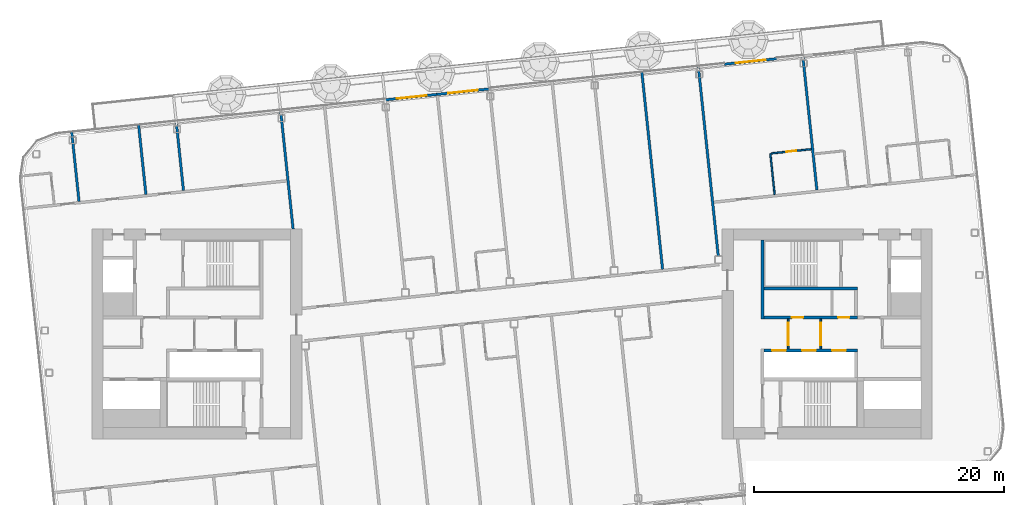
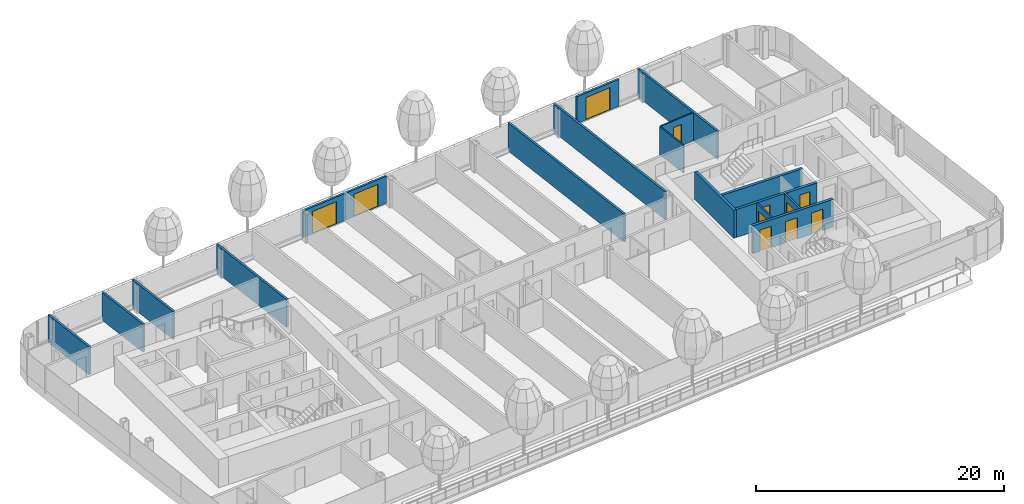
# One storey, part 15 of 29: 18 walls, 11 doors, 11 openings, 1 element without a shape of its own.
"""IFC4 building model written with IfcOpenShell, lengths in metres."""

from ifc_helpers import new_model, si_unit, direction, frame, frame_2d, origin, place, context, subcontext, project, spatial, rectangle, extrude, material, layer, layer_set, type_object, element, fill, aggregate, save


model = new_model("IFC4")

# Units and contexts
model_context = context("Model", 3, precision=1e-05, world=origin(), true_north=direction((0.0, 1.0)))
body_context = subcontext(model_context, "Body", "Model", "MODEL_VIEW")
ifc_project = project(units=[si_unit("LENGTHUNIT", "METRE"), si_unit("AREAUNIT", "SQUARE_METRE"), si_unit("VOLUMEUNIT", "CUBIC_METRE"), si_unit("PLANEANGLEUNIT", "RADIAN"), si_unit("MASSUNIT", "GRAM", prefix="KILO")], contexts=[model_context])

# Site, building, storey
site_placement = place(None, origin())
site = spatial("IfcSite", under=ifc_project, at=site_placement, CompositionType="ELEMENT")
building_placement = place(site_placement, origin())
building = spatial("IfcBuilding", under=site, at=building_placement, Name="Hakoniwa Tower and Hamabe Station Hall", CompositionType="ELEMENT")
storey_placement = place(building_placement, frame((0.0, 0.0, 258.199951171875)))
storey = spatial("IfcBuildingStorey", under=building, at=storey_placement, Name="L73", CompositionType="ELEMENT", Elevation=258.199951171875)

# Wall, opening, door
ifc_material_1 = material(Name="Gypsum board partition", Category="gypsum")
ifc_layer_1 = layer(ifc_material_1, 0.125)
ifc_layer_set_1 = layer_set([ifc_layer_1], Name="Bathroom Partition 125")
wall_type_1 = type_object("IfcWallType", Name="Bathroom Partition 125", PredefinedType="PARTITIONING", material=ifc_layer_set_1)
wall_1_placement = place(storey_placement, frame((20.7275390625, 14.443603515625, 0.0), z_axis=(0.0, 0.0, 1.0), x_axis=(0.994522794159, 0.104519911488, 0.0)))
wall_1 = element("IfcWall", 1, at=wall_1_placement, inside=storey, type_object=wall_type_1, Name="GW-L73-014", PredefinedType="PARTITIONING", context=body_context, shape_type="SweptSolid", body=[
    extrude(rectangle(XDim=3.237548828125, YDim=0.125, at=frame_2d((1.61865234375, 0.0))), origin(), (0.0, 0.0, 1.0), 2.75),
])
opening_1_placement = place(wall_1_placement, frame((1.237548828125, 0.0, 0.0)))
opening_1 = element("IfcOpeningElement", 2, at=opening_1_placement, cuts=wall_1, Name="Opening GD-G5C1-24", PredefinedType="OPENING", context=body_context, shape_type="SweptSolid", body=[
    extrude(rectangle(XDim=0.800048828125, YDim=2.10009765625, at=frame_2d((0.39990234375, 1.050048828125))), frame((0.0, 0.072509765625, 0.0), z_axis=(0.0, -1.0, 0.0), x_axis=(1.0, 0.0, 0.0)), (0.0, 0.0, 1.0), 0.14501953125),
])
ifc_material_2 = material(Name="Timber door leaf", Category="wood")
door_type_1 = type_object("IfcDoorType", Name="Bathroom Door 800", OperationType="SINGLE_SWING_LEFT", PredefinedType="DOOR", material=ifc_material_2)
door_1_placement = place(opening_1_placement, origin())
door_1 = element("IfcDoor", 3, at=door_1_placement, inside=storey, type_object=door_type_1, Name="Door GD-G5C1-24", OperationType="SINGLE_SWING_LEFT", OverallHeight=2.10009765625, OverallWidth=0.800048828125, PredefinedType="DOOR", context=body_context, shape_type="SweptSolid", body=[
    extrude(rectangle(XDim=0.800048828125, YDim=2.10009765625, at=frame_2d((0.39990234375, 1.050048828125))), frame((0.0, 0.02490234375, 0.0), z_axis=(0.0, -1.0, 0.0), x_axis=(1.0, 0.0, 0.0)), (0.0, 0.0, 1.0), 0.050048828125),
])
fill(opening_1, door_1)

# Wall
wall_2_placement = place(storey_placement, frame((21.010498046875, 11.1552734375, 0.0), z_axis=(0.0, 0.0, 1.0), x_axis=(-0.10454228429, 0.994520442623, 0.0)))
element("IfcWall", 4, at=wall_2_placement, inside=storey, type_object=wall_type_1, Name="GW-L73-047", PredefinedType="PARTITIONING", context=body_context, shape_type="SweptSolid", body=[
    extrude(rectangle(XDim=3.2998046875, YDim=0.125, at=frame_2d((1.64990234375, 0.0))), origin(), (0.0, 0.0, 1.0), 2.75),
])

# Wall, opening, door
ifc_material_3 = material(Name="Gypsum board partition")
ifc_layer_2 = layer(ifc_material_3, 0.14990234375)
ifc_layer_set_2 = layer_set([ifc_layer_2], Name="CORE PARTITION 150 EI 60")
wall_type_2 = type_object("IfcWallType", Name="CORE PARTITION 150 EI 60", PredefinedType="PARTITIONING", material=ifc_layer_set_2)
wall_3_placement = place(storey_placement, frame((22.10009765625, -1.199951171875, 0.0), z_axis=(0.0, 0.0, 1.0), x_axis=(0.0, 1.0, 0.0)))
wall_3 = element("IfcWall", 5, at=wall_3_placement, inside=storey, type_object=wall_type_2, Name="Core partition PL0 east", PredefinedType="PARTITIONING", context=body_context, shape_type="SweptSolid", body=[
    extrude(rectangle(XDim=2.39990234375, YDim=0.14990234375, at=frame_2d((1.199951171875, 0.0))), origin(), (0.0, 0.0, 1.0), 2.75),
])
opening_2_placement = place(wall_3_placement, frame((0.300048828125, 0.0, 0.0)))
opening_2 = element("IfcOpeningElement", 6, at=opening_2_placement, cuts=wall_3, Name="Opening CD-E-LP0-18", PredefinedType="OPENING", context=body_context, shape_type="SweptSolid", body=[
    extrude(rectangle(XDim=1.800048828125, YDim=2.10009765625, at=frame_2d((0.89990234375, 1.050048828125))), frame((0.0, 0.0849609375, 0.0), z_axis=(0.0, -1.0, 0.0), x_axis=(1.0, 0.0, 0.0)), (0.0, 0.0, 1.0), 0.169921875),
])
ifc_material_4 = material(Name="Steel fire door", Category="steel")
door_type_2 = type_object("IfcDoorType", Name="CORE DOOR 1800 FD60", OperationType="DOUBLE_DOOR_SINGLE_SWING", PredefinedType="DOOR", material=ifc_material_4)
door_2_placement = place(opening_2_placement, origin())
door_2 = element("IfcDoor", 7, at=door_2_placement, inside=storey, type_object=door_type_2, Name="Lift lobby partition door", OperationType="DOUBLE_DOOR_SINGLE_SWING", OverallHeight=2.10009765625, OverallWidth=1.800048828125, PredefinedType="DOOR", context=body_context, shape_type="SweptSolid", body=[
    extrude(rectangle(XDim=1.800048828125, YDim=2.10009765625, at=frame_2d((0.89990234375, 1.050048828125))), frame((0.0, 0.02490234375, 0.0), z_axis=(0.0, -1.0, 0.0), x_axis=(1.0, 0.0, 0.0)), (0.0, 0.0, 1.0), 0.050048828125),
])
fill(opening_2, door_2)

wall_4_placement = place(storey_placement, frame((24.699951171875, -1.199951171875, 0.0), z_axis=(0.0, 0.0, 1.0), x_axis=(0.0, 1.0, 0.0)))
wall_4 = element("IfcWall", 8, at=wall_4_placement, inside=storey, type_object=wall_type_2, Name="Core partition PL1 east", PredefinedType="PARTITIONING", context=body_context, shape_type="SweptSolid", body=[
    extrude(rectangle(XDim=2.39990234375, YDim=0.14990234375, at=frame_2d((1.199951171875, 0.0))), origin(), (0.0, 0.0, 1.0), 2.75),
])
opening_3_placement = place(wall_4_placement, frame((0.300048828125, 0.0, 0.0)))
opening_3 = element("IfcOpeningElement", 9, at=opening_3_placement, cuts=wall_4, Name="Opening CD-E-LP1-18", PredefinedType="OPENING", context=body_context, shape_type="SweptSolid", body=[
    extrude(rectangle(XDim=1.800048828125, YDim=2.10009765625, at=frame_2d((0.89990234375, 1.050048828125))), frame((0.0, 0.0849609375, 0.0), z_axis=(0.0, -1.0, 0.0), x_axis=(1.0, 0.0, 0.0)), (0.0, 0.0, 1.0), 0.169921875),
])
door_3_placement = place(opening_3_placement, origin())
door_3 = element("IfcDoor", 10, at=door_3_placement, inside=storey, type_object=door_type_2, Name="Lift lobby partition door", OperationType="DOUBLE_DOOR_SINGLE_SWING", OverallHeight=2.10009765625, OverallWidth=1.800048828125, PredefinedType="DOOR", context=body_context, shape_type="SweptSolid", body=[
    extrude(rectangle(XDim=1.800048828125, YDim=2.10009765625, at=frame_2d((0.89990234375, 1.050048828125))), frame((0.0, 0.02490234375, 0.0), z_axis=(0.0, -1.0, 0.0), x_axis=(1.0, 0.0, 0.0)), (0.0, 0.0, 1.0), 0.050048828125),
])
fill(opening_3, door_3)

# Wall
ifc_material_5 = material(Name="Concrete C60", Category="concrete")
ifc_layer_3 = layer(ifc_material_5, 0.25)
ifc_layer_set_3 = layer_set([ifc_layer_3], Name="CORE WEB WALL 250 C60")
wall_type_3 = type_object("IfcWallType", Name="CORE WEB WALL 250 C60", PredefinedType="SHEAR", material=ifc_layer_set_3)
wall_5_placement = place(storey_placement, frame((20.02490234375, 1.199951171875, 0.0), z_axis=(0.0, 0.0, 1.0), x_axis=(0.0, 1.0, 0.0)))
element("IfcWall", 11, at=wall_5_placement, inside=storey, type_object=wall_type_3, Name="Core wall W1N east", PredefinedType="SHEAR", context=body_context, shape_type="SweptSolid", body=[
    extrude(rectangle(XDim=6.300048828125, YDim=0.25, at=frame_2d((3.14990234375, 0.0))), origin(), (0.0, 0.0, 1.0), 2.75),
])

# Wall, openings, doors
wall_6_placement = place(storey_placement, frame((20.14990234375, 1.324951171875, 0.0), z_axis=(0.0, 0.0, 1.0), x_axis=(1.0, 0.0, 0.0)))
wall_6 = element("IfcWall", 12, at=wall_6_placement, inside=storey, type_object=wall_type_3, Name="Core wall NF east", PredefinedType="SHEAR", context=body_context, shape_type="SweptSolid", body=[
    extrude(rectangle(XDim=7.5, YDim=0.25, at=frame_2d((3.75, 0.0))), origin(), (0.0, 0.0, 1.0), 2.75),
])
opening_4_placement = place(wall_6_placement, frame((2.237548828125, 0.0, 0.0)))
opening_4 = element("IfcOpeningElement", 13, at=opening_4_placement, cuts=wall_6, Name="Opening CD-E-FRLR0-9", PredefinedType="OPENING", context=body_context, shape_type="SweptSolid", body=[
    extrude(rectangle(XDim=0.89990234375, YDim=2.10009765625, at=frame_2d((0.449951171875, 1.050048828125))), frame((0.0, 0.135009765625, 0.0), z_axis=(0.0, -1.0, 0.0), x_axis=(1.0, 0.0, 0.0)), (0.0, 0.0, 1.0), 0.27001953125),
])
opening_5_placement = place(wall_6_placement, frame((5.9375, 0.0, 0.0)))
opening_5 = element("IfcOpeningElement", 14, at=opening_5_placement, cuts=wall_6, Name="Opening CD-E-FRLR1-9", PredefinedType="OPENING", context=body_context, shape_type="SweptSolid", body=[
    extrude(rectangle(XDim=0.89990234375, YDim=2.10009765625, at=frame_2d((0.449951171875, 1.050048828125))), frame((0.0, 0.135009765625, 0.0), z_axis=(0.0, -1.0, 0.0), x_axis=(1.0, 0.0, 0.0)), (0.0, 0.0, 1.0), 0.27001953125),
])
ifc_material_6 = material(Name="Steel fire door", Category="steel")
door_type_3 = type_object("IfcDoorType", Name="CORE DOOR 900 FD30", OperationType="NOTDEFINED", PredefinedType="DOOR", material=ifc_material_6)
door_4_placement = place(opening_4_placement, origin())
door_4 = element("IfcDoor", 15, at=door_4_placement, inside=storey, type_object=door_type_3, Name="Store room door", OperationType="SINGLE_SWING_LEFT", OverallHeight=2.10009765625, OverallWidth=0.89990234375, PredefinedType="DOOR", context=body_context, shape_type="SweptSolid", body=[
    extrude(rectangle(XDim=0.89990234375, YDim=2.10009765625, at=frame_2d((0.449951171875, 1.050048828125))), frame((0.0, 0.02490234375, 0.0), z_axis=(0.0, -1.0, 0.0), x_axis=(1.0, 0.0, 0.0)), (0.0, 0.0, 1.0), 0.050048828125),
])
fill(opening_4, door_4)
door_5_placement = place(opening_5_placement, origin())
door_5 = element("IfcDoor", 16, at=door_5_placement, inside=storey, type_object=door_type_3, Name="Store room door", OperationType="SINGLE_SWING_RIGHT", OverallHeight=2.10009765625, OverallWidth=0.89990234375, PredefinedType="DOOR", context=body_context, shape_type="SweptSolid", body=[
    extrude(rectangle(XDim=0.89990234375, YDim=2.10009765625, at=frame_2d((0.449951171875, 1.050048828125))), frame((0.0, 0.02490234375, 0.0), z_axis=(0.0, -1.0, 0.0), x_axis=(1.0, 0.0, 0.0)), (0.0, 0.0, 1.0), 0.050048828125),
])
fill(opening_5, door_5)

# Wall
wall_7_placement = place(storey_placement, frame((20.14990234375, 3.625, 0.0), z_axis=(0.0, 0.0, 1.0), x_axis=(1.0, 0.0, 0.0)))
element("IfcWall", 17, at=wall_7_placement, inside=storey, type_object=wall_type_3, Name="Core wall NR east", PredefinedType="SHEAR", context=body_context, shape_type="SweptSolid", body=[
    extrude(rectangle(XDim=7.5, YDim=0.25, at=frame_2d((3.75, 0.0))), origin(), (0.0, 0.0, 1.0), 2.75),
])

# Wall, openings, doors
wall_8_placement = place(storey_placement, frame((20.14990234375, -1.324951171875, 0.0), z_axis=(0.0, 0.0, 1.0), x_axis=(1.0, 0.0, 0.0)))
wall_8 = element("IfcWall", 18, at=wall_8_placement, inside=storey, type_object=wall_type_3, Name="Core wall SF east", PredefinedType="SHEAR", context=body_context, shape_type="SweptSolid", body=[
    extrude(rectangle(XDim=7.5, YDim=0.25, at=frame_2d((3.75, 0.0))), origin(), (0.0, 0.0, 1.0), 2.75),
])
opening_6_placement = place(wall_8_placement, frame((0.64990234375, 0.0, 0.0)))
opening_6 = element("IfcOpeningElement", 19, at=opening_6_placement, cuts=wall_8, Name="Opening LD-HR4", PredefinedType="OPENING", context=body_context, shape_type="SweptSolid", body=[
    extrude(rectangle(XDim=1.10009765625, YDim=2.10009765625, at=frame_2d((0.550048828125, 1.050048828125))), frame((0.0, 0.135009765625, 0.0), z_axis=(0.0, -1.0, 0.0), x_axis=(1.0, 0.0, 0.0)), (0.0, 0.0, 1.0), 0.27001953125),
])
opening_7_placement = place(wall_8_placement, frame((3.050048828125, 0.0, 0.0)))
opening_7 = element("IfcOpeningElement", 20, at=opening_7_placement, cuts=wall_8, Name="Opening LD-HR5", PredefinedType="OPENING", context=body_context, shape_type="SweptSolid", body=[
    extrude(rectangle(XDim=1.10009765625, YDim=2.10009765625, at=frame_2d((0.550048828125, 1.050048828125))), frame((0.0, 0.135009765625, 0.0), z_axis=(0.0, -1.0, 0.0), x_axis=(1.0, 0.0, 0.0)), (0.0, 0.0, 1.0), 0.27001953125),
])
opening_8_placement = place(wall_8_placement, frame((5.449951171875, 0.0, 0.0)))
opening_8 = element("IfcOpeningElement", 21, at=opening_8_placement, cuts=wall_8, Name="Opening LD-HR6", PredefinedType="OPENING", context=body_context, shape_type="SweptSolid", body=[
    extrude(rectangle(XDim=1.10009765625, YDim=2.10009765625, at=frame_2d((0.550048828125, 1.050048828125))), frame((0.0, 0.135009765625, 0.0), z_axis=(0.0, -1.0, 0.0), x_axis=(1.0, 0.0, 0.0)), (0.0, 0.0, 1.0), 0.27001953125),
])
ifc_material_7 = material(Name="Stainless steel SUS304", Category="steel")
door_type_4 = type_object("IfcDoorType", Name="LIFT LANDING DOOR 1100 FD60", OperationType="DOUBLE_DOOR_SLIDING", PredefinedType="DOOR", material=ifc_material_7)
door_6_placement = place(opening_6_placement, origin())
door_6 = element("IfcDoor", 22, at=door_6_placement, inside=storey, type_object=door_type_4, Name="Lift landing door HR4 L73", OperationType="DOUBLE_DOOR_SLIDING", OverallHeight=2.10009765625, OverallWidth=1.10009765625, PredefinedType="DOOR", context=body_context, shape_type="SweptSolid", body=[
    extrude(rectangle(XDim=1.10009765625, YDim=2.10009765625, at=frame_2d((0.550048828125, 1.050048828125))), frame((0.0, 0.02490234375, 0.0), z_axis=(0.0, -1.0, 0.0), x_axis=(1.0, 0.0, 0.0)), (0.0, 0.0, 1.0), 0.050048828125),
])
fill(opening_6, door_6)
door_7_placement = place(opening_7_placement, origin())
door_7 = element("IfcDoor", 23, at=door_7_placement, inside=storey, type_object=door_type_4, Name="Lift landing door HR5 L73", OperationType="DOUBLE_DOOR_SLIDING", OverallHeight=2.10009765625, OverallWidth=1.10009765625, PredefinedType="DOOR", context=body_context, shape_type="SweptSolid", body=[
    extrude(rectangle(XDim=1.10009765625, YDim=2.10009765625, at=frame_2d((0.550048828125, 1.050048828125))), frame((0.0, 0.02490234375, 0.0), z_axis=(0.0, -1.0, 0.0), x_axis=(1.0, 0.0, 0.0)), (0.0, 0.0, 1.0), 0.050048828125),
])
fill(opening_7, door_7)
door_8_placement = place(opening_8_placement, origin())
door_8 = element("IfcDoor", 24, at=door_8_placement, inside=storey, type_object=door_type_4, Name="Lift landing door HR6 L73", OperationType="DOUBLE_DOOR_SLIDING", OverallHeight=2.10009765625, OverallWidth=1.10009765625, PredefinedType="DOOR", context=body_context, shape_type="SweptSolid", body=[
    extrude(rectangle(XDim=1.10009765625, YDim=2.10009765625, at=frame_2d((0.550048828125, 1.050048828125))), frame((0.0, 0.02490234375, 0.0), z_axis=(0.0, -1.0, 0.0), x_axis=(1.0, 0.0, 0.0)), (0.0, 0.0, 1.0), 0.050048828125),
])
fill(opening_8, door_8)

# Curtain wall, walls, openings, doors
ifc_material_8 = material(Name="Dark low-e laminated glass", Category="glass")
ifc_layer_4 = layer(ifc_material_8, 0.199951171875)
ifc_layer_set_4 = layer_set([ifc_layer_4], Name="CW-1 UNITISED GUEST")
curtain_wall_type = type_object("IfcCurtainWallType", Name="CW-1 UNITISED GUEST", PredefinedType="NOTDEFINED", material=ifc_layer_set_4)
curtain_wall_placement = place(storey_placement, origin())
curtain_wall = element("IfcCurtainWall", 25, at=curtain_wall_placement, inside=storey, type_object=curtain_wall_type, Name="CW-1 curtain wall", PredefinedType="NOTDEFINED")
ifc_material_9 = material(Name="Dark glass-faced aluminium panel", Category="aluminium")
ifc_layer_5 = layer(ifc_material_9, 0.199951171875)
ifc_layer_set_5 = layer_set([ifc_layer_5], Name="DOOR BAY WALL")
wall_type_4 = type_object("IfcWallType", Name="DOOR BAY WALL", PredefinedType="NOTDEFINED", material=ifc_layer_set_5)
wall_9_placement = place(storey_placement, frame((21.185546875, 22.021484375, 0.0), z_axis=(0.0, 0.0, 1.0), x_axis=(-0.994520342386, -0.104543237853, 0.0)))
wall_9 = element("IfcWall", 26, at=wall_9_placement, type_object=wall_type_4, Name="Door bay wall", PredefinedType="NOTDEFINED", context=body_context, shape_type="SweptSolid", body=[
    extrude(rectangle(XDim=4.219970703125, YDim=0.199951171875, at=frame_2d((2.10986328125, 0.0))), origin(), (0.0, 0.0, 1.0), 2.650146484375),
])
opening_9_placement = place(wall_9_placement, frame((0.909912109375, 0.0, 0.0)))
opening_9 = element("IfcOpeningElement", 27, at=opening_9_placement, cuts=wall_9, Name="Opening BD-N03-5", PredefinedType="OPENING", context=body_context, shape_type="SweptSolid", body=[
    extrude(rectangle(XDim=2.39990234375, YDim=2.199951171875, at=frame_2d((1.199951171875, 1.10009765625))), frame((0.0, 0.10986328125, 0.0), z_axis=(0.0, -1.0, 0.0), x_axis=(1.0, 0.0, 0.0)), (0.0, 0.0, 1.0), 0.219970703125),
])
ifc_material_10 = material(Name="Dark low-e laminated glass", Category="glass")
door_type_5 = type_object("IfcDoorType", Name="BALCONY SLIDING DOOR 2400X2200", OperationType="SLIDING_TO_LEFT", PredefinedType="DOOR", material=ifc_material_10)
door_9_placement = place(opening_9_placement, frame((2.39990234375, 0.0, 0.0), z_axis=(0.0, 0.0, 1.0), x_axis=(-1.0, 0.0, 0.0)))
door_9 = element("IfcDoor", 28, at=door_9_placement, inside=storey, type_object=door_type_5, Name="Balcony sliding door", OperationType="SLIDING_TO_LEFT", OverallHeight=2.199951171875, OverallWidth=2.39990234375, PredefinedType="DOOR", context=body_context, shape_type="SweptSolid", body=[
    extrude(rectangle(XDim=2.39990234375, YDim=2.199951171875, at=frame_2d((1.199951171875, 1.10009765625))), frame((0.0, 0.02490234375, 0.0), z_axis=(0.0, -1.0, 0.0), x_axis=(1.0, 0.0, 0.0)), (0.0, 0.0, 1.0), 0.050048828125),
])
fill(opening_9, door_9)
wall_10_placement = place(storey_placement, frame((-1.81787109375, 19.603759765625, 0.0), z_axis=(0.0, 0.0, 1.0), x_axis=(-0.994520342386, -0.104543237853, 0.0)))
wall_10 = element("IfcWall", 29, at=wall_10_placement, type_object=wall_type_4, Name="Door bay wall", PredefinedType="NOTDEFINED", context=body_context, shape_type="SweptSolid", body=[
    extrude(rectangle(XDim=4.219970703125, YDim=0.199951171875, at=frame_2d((2.10986328125, 0.0))), origin(), (0.0, 0.0, 1.0), 2.650146484375),
])
opening_10_placement = place(wall_10_placement, frame((0.909912109375, 0.0, 0.0)))
opening_10 = element("IfcOpeningElement", 30, at=opening_10_placement, cuts=wall_10, Name="Opening BD-N03-2", PredefinedType="OPENING", context=body_context, shape_type="SweptSolid", body=[
    extrude(rectangle(XDim=2.39990234375, YDim=2.199951171875, at=frame_2d((1.199951171875, 1.10009765625))), frame((0.0, 0.10986328125, 0.0), z_axis=(0.0, -1.0, 0.0), x_axis=(1.0, 0.0, 0.0)), (0.0, 0.0, 1.0), 0.219970703125),
])
door_10_placement = place(opening_10_placement, frame((2.39990234375, 0.0, 0.0), z_axis=(0.0, 0.0, 1.0), x_axis=(-1.0, 0.0, 0.0)))
door_10 = element("IfcDoor", 31, at=door_10_placement, inside=storey, type_object=door_type_5, Name="Balcony sliding door", OperationType="SLIDING_TO_LEFT", OverallHeight=2.199951171875, OverallWidth=2.39990234375, PredefinedType="DOOR", context=body_context, shape_type="SweptSolid", body=[
    extrude(rectangle(XDim=2.39990234375, YDim=2.199951171875, at=frame_2d((1.199951171875, 1.10009765625))), frame((0.0, 0.02490234375, 0.0), z_axis=(0.0, -1.0, 0.0), x_axis=(1.0, 0.0, 0.0)), (0.0, 0.0, 1.0), 0.050048828125),
])
fill(opening_10, door_10)
wall_11_placement = place(storey_placement, frame((-5.93505859375, 19.1708984375, 0.0), z_axis=(0.0, 0.0, 1.0), x_axis=(-0.994520974641, -0.104537223034, 0.0)))
wall_11 = element("IfcWall", 32, at=wall_11_placement, type_object=wall_type_4, Name="Door bay wall", PredefinedType="NOTDEFINED", context=body_context, shape_type="SweptSolid", body=[
    extrude(rectangle(XDim=4.22021484375, YDim=0.199951171875, at=frame_2d((2.110107421875, 0.0))), origin(), (0.0, 0.0, 1.0), 2.650146484375),
])
opening_11_placement = place(wall_11_placement, frame((0.909912109375, 0.0, 0.0)))
opening_11 = element("IfcOpeningElement", 33, at=opening_11_placement, cuts=wall_11, Name="Opening BD-N03-1", PredefinedType="OPENING", context=body_context, shape_type="SweptSolid", body=[
    extrude(rectangle(XDim=2.39990234375, YDim=2.199951171875, at=frame_2d((1.199951171875, 1.10009765625))), frame((0.0, 0.10986328125, 0.0), z_axis=(0.0, -1.0, 0.0), x_axis=(1.0, 0.0, 0.0)), (0.0, 0.0, 1.0), 0.219970703125),
])
door_11_placement = place(opening_11_placement, frame((2.39990234375, 0.0, 0.0), z_axis=(0.0, 0.0, 1.0), x_axis=(-1.0, 0.0, 0.0)))
door_11 = element("IfcDoor", 34, at=door_11_placement, inside=storey, type_object=door_type_5, Name="Balcony sliding door", OperationType="SLIDING_TO_LEFT", OverallHeight=2.199951171875, OverallWidth=2.39990234375, PredefinedType="DOOR", context=body_context, shape_type="SweptSolid", body=[
    extrude(rectangle(XDim=2.39990234375, YDim=2.199951171875, at=frame_2d((1.199951171875, 1.10009765625))), frame((0.0, 0.02490234375, 0.0), z_axis=(0.0, -1.0, 0.0), x_axis=(1.0, 0.0, 0.0)), (0.0, 0.0, 1.0), 0.050048828125),
])
fill(opening_11, door_11)
aggregate(curtain_wall, [wall_9, wall_10, wall_11])

# Walls
ifc_material_11 = material(Name="Fire-rated gypsum board partition", Category="gypsum")
ifc_layer_6 = layer(ifc_material_11, 0.199951171875)
ifc_layer_set_6 = layer_set([ifc_layer_6], Name="Party Wall 200")
wall_type_5 = type_object("IfcWallType", Name="Party Wall 200", PredefinedType="PARTITIONING", material=ifc_layer_set_6)
for number, where, z_axis, x_axis, name in (
    (35, (-34.63671875, 10.603759765625, 0.0), (0.0, 0.0, 1.0), (-0.104560413987, 0.994518536693, 0.0), "GW-L73-020"),
    (36, (-29.286376953125, 11.166015625, 0.0), (0.0, 0.0, 1.0), (-0.104517448482, 0.994523053007, 0.0), "GW-L73-021"),
    (37, (-26.28271484375, 11.481689453125, 0.0), (0.0, 0.0, 1.0), (-0.104560413987, 0.994518536693, 0.0), "GW-L73-023"),
):
    element("IfcWall", number, at=place(storey_placement, frame(where, z_axis=z_axis, x_axis=x_axis)), inside=storey, type_object=wall_type_5, Name=name, PredefinedType="PARTITIONING", context=body_context, shape_type="SweptSolid", body=[
        extrude(rectangle(XDim=5.6201171875, YDim=0.199951171875, at=frame_2d((2.81005859375, 0.0))), origin(), (0.0, 0.0, 1.0), 2.75),
    ])
wall_12_placement = place(storey_placement, frame((-17.51220703125, 8.39501953125, 0.0), z_axis=(0.0, 0.0, 1.0), x_axis=(-0.104524714473, 0.994522289375, 0.0)))
element("IfcWall", 38, at=wall_12_placement, inside=storey, type_object=wall_type_5, Name="GW-L73-026", PredefinedType="PARTITIONING", context=body_context, shape_type="SweptSolid", body=[
    extrude(rectangle(XDim=9.60693359375, YDim=0.199951171875, at=frame_2d((4.803466796875, 0.0))), origin(), (0.0, 0.0, 1.0), 2.75),
])
wall_13_placement = place(storey_placement, frame((12.04638671875, 5.173828125, 0.0), z_axis=(0.0, 0.0, 1.0), x_axis=(-0.104519331095, 0.994522855156, 0.0)))
element("IfcWall", 39, at=wall_13_placement, inside=storey, type_object=wall_type_5, Name="GW-L73-044", PredefinedType="PARTITIONING", context=body_context, shape_type="SweptSolid", body=[
    extrude(rectangle(XDim=15.900146484375, YDim=0.199951171875, at=frame_2d((7.9501953125, 0.0))), origin(), (0.0, 0.0, 1.0), 2.75),
])
wall_14_placement = place(storey_placement, frame((16.499755859375, 6.23681640625, 0.0), z_axis=(0.0, 0.0, 1.0), x_axis=(-0.104523729364, 0.99452239291, 0.0)))
element("IfcWall", 40, at=wall_14_placement, inside=storey, type_object=wall_type_5, Name="GW-L73-046", PredefinedType="PARTITIONING", context=body_context, shape_type="SweptSolid", body=[
    extrude(rectangle(XDim=15.308349609375, YDim=0.199951171875, at=frame_2d((7.654296875, 0.0))), origin(), (0.0, 0.0, 1.0), 2.75),
])
wall_15_placement = place(storey_placement, frame((24.391845703125, 11.510498046875, 0.0), z_axis=(0.0, 0.0, 1.0), x_axis=(-0.104530717431, 0.994521658444, 0.0)))
element("IfcWall", 41, at=wall_15_placement, inside=storey, type_object=wall_type_5, Name="GW-L73-049", PredefinedType="PARTITIONING", context=body_context, shape_type="SweptSolid", body=[
    extrude(rectangle(XDim=10.888427734375, YDim=0.199951171875, at=frame_2d((5.4443359375, 0.0))), origin(), (0.0, 0.0, 1.0), 2.75),
])

save(model, "model.ifc")
